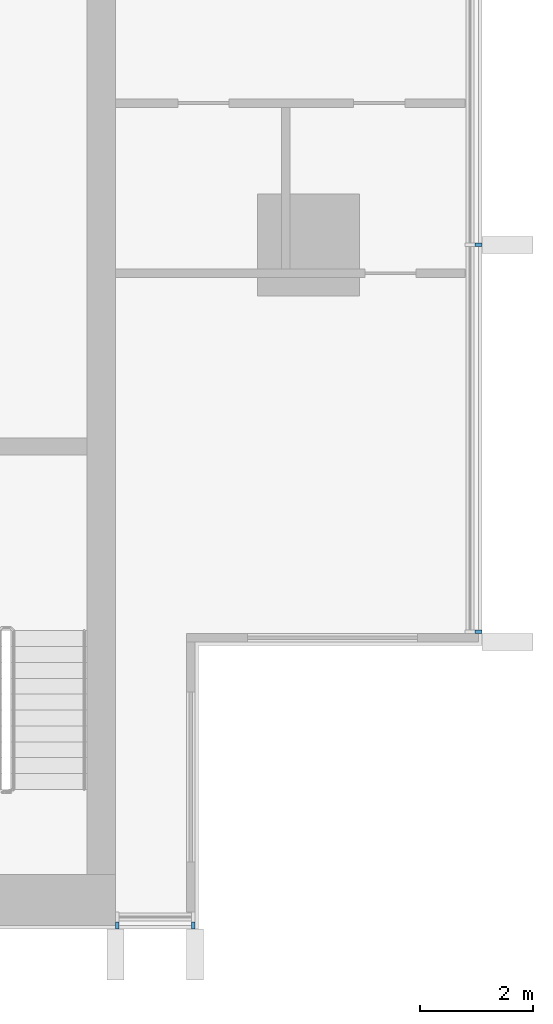
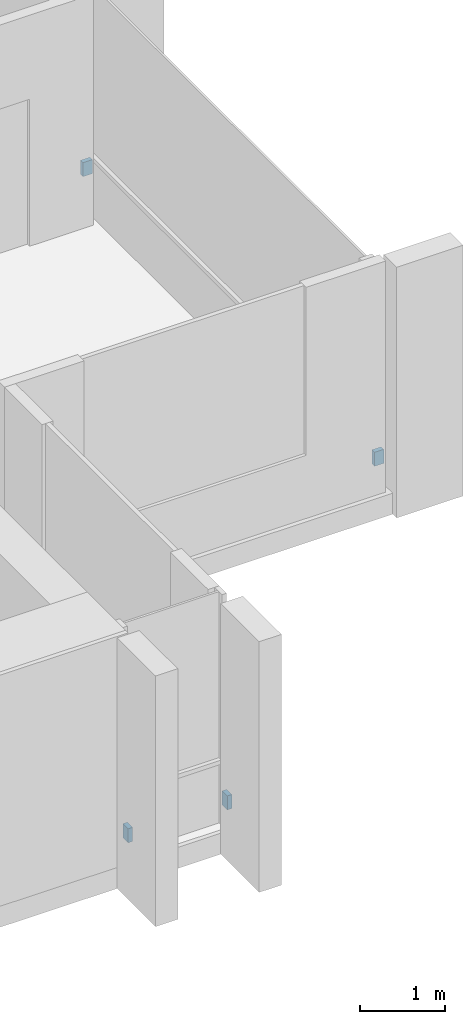
# One storey, part 13 of 16: 4 discrete accessories.
"""IFC4 building model written with IfcOpenShell, lengths in metres."""

from ifc_helpers import new_model, si_unit, direction, frame, origin, origin_2d, place, context, subcontext, project, spatial, rectangle, extrude, material, type_object, element, save


model = new_model("IFC4")

# Units and contexts
model_context = context("Model", 3, precision=1e-05, world=origin(), true_north=direction((0.0, 1.0)))
body_context = subcontext(model_context, "Body", "Model", "MODEL_VIEW")
ifc_project = project(units=[si_unit("LENGTHUNIT", "METRE"), si_unit("AREAUNIT", "SQUARE_METRE"), si_unit("VOLUMEUNIT", "CUBIC_METRE"), si_unit("PLANEANGLEUNIT", "RADIAN"), si_unit("MASSUNIT", "GRAM", prefix="KILO")], contexts=[model_context])

# Site, building, storey
site_placement = place(None, origin())
site = spatial("IfcSite", under=ifc_project, at=site_placement, CompositionType="ELEMENT")
building_placement = place(site_placement, origin())
building = spatial("IfcBuilding", under=site, at=building_placement, Name="Finial Court Residences", CompositionType="ELEMENT")
storey_placement = place(building_placement, frame((0.0, 0.0, 259.10009765625)))
storey = spatial("IfcBuildingStorey", under=building, at=storey_placement, Name="L65", CompositionType="ELEMENT", Elevation=259.10009765625)

# Discrete accessories
ifc_material = material(Name="Stainless steel 316", Category="steel")
discrete_accessory_type = type_object("IfcDiscreteAccessoryType", Name="Fin bracket, stainless steel 60 x 122 x 200", PredefinedType="BRACKET", material=ifc_material)
for number, where, z_axis, x_axis, name in (
    (1, (19.498779296875, -20.320068359375, 0.2998046875), (0.0, 0.0, 1.0), (1.0, 0.0, 0.0), "E-L65-FIN-E7-BRK"),
    (2, (19.498779296875, -13.5, 0.2998046875), (0.0, 0.0, 1.0), (1.0, 0.0, 0.0), "E-L65-FIN-E8-BRK"),
):
    element("IfcDiscreteAccessory", number, at=place(storey_placement, frame(where, z_axis=z_axis, x_axis=x_axis)), inside=storey, type_object=discrete_accessory_type, Name=name, PredefinedType="BRACKET", context=body_context, shape_type="SweptSolid", body=[
        extrude(rectangle(XDim=0.12255859375, YDim=0.06005859375, at=origin_2d()), origin(), (0.0, 0.0, 1.0), 0.199951171875),
    ])
for number, where, z_axis, x_axis, name in (
    (3, (13.1298828125, -25.498779296875, 0.2998046875), (0.0, 0.0, 1.0), (1.0, 0.0, 0.0), "E-L65-FIN-S19-BRK"),
    (4, (14.469970703125, -25.498779296875, 0.2998046875), (0.0, 0.0, 1.0), (1.0, 0.0, 0.0), "E-L65-FIN-S20-BRK"),
):
    element("IfcDiscreteAccessory", number, at=place(storey_placement, frame(where, z_axis=z_axis, x_axis=x_axis)), inside=storey, type_object=discrete_accessory_type, Name=name, PredefinedType="BRACKET", context=body_context, shape_type="SweptSolid", body=[
        extrude(rectangle(XDim=0.06005859375, YDim=0.12255859375, at=origin_2d()), origin(), (0.0, 0.0, 1.0), 0.199951171875),
    ])

save(model, "model.ifc")
